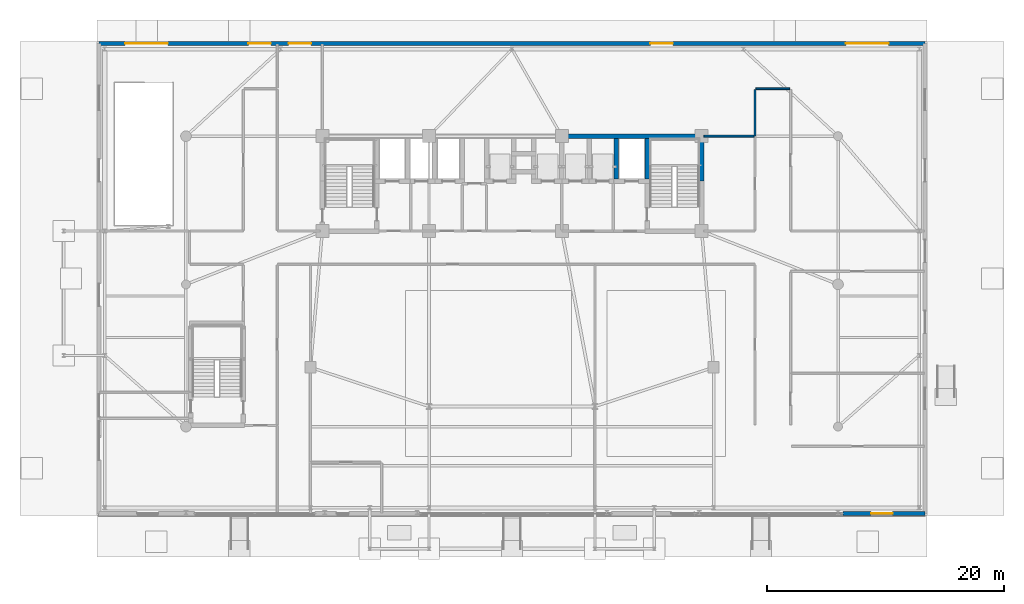
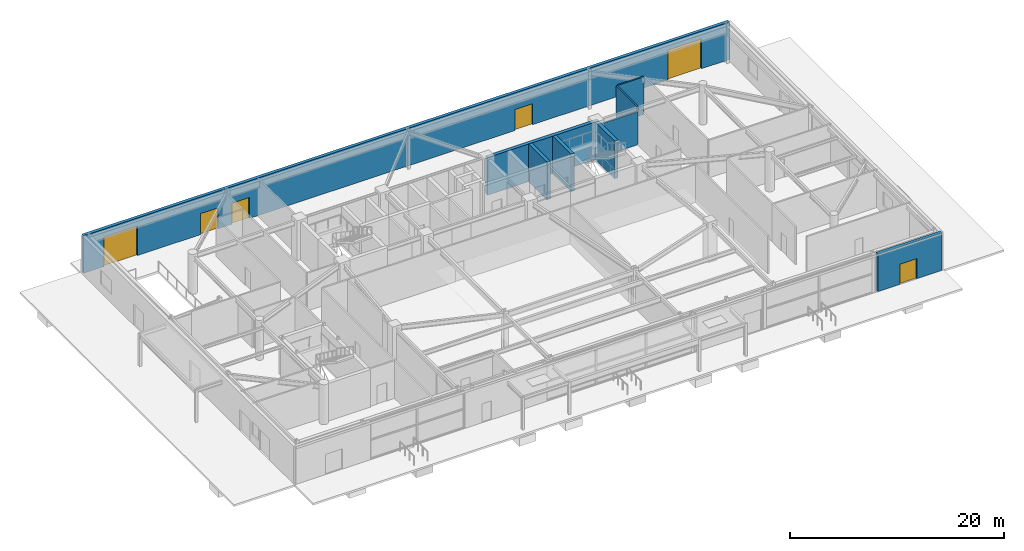
# One storey, part 22 of 29: 9 walls, 6 doors, 6 openings.
"""IFC4 building model written with IfcOpenShell, lengths in metres."""

from ifc_helpers import new_model, si_unit, direction, frame, frame_2d, origin, place, context, subcontext, project, spatial, rectangle, extrude, source, transform, mapped, material, layer, layer_set, type_object, element, fill, save


model = new_model("IFC4")

# Units and contexts
model_context = context("Model", 3, precision=1e-05, world=origin(), true_north=direction((0.0, 1.0)))
body_context = subcontext(model_context, "Body", "Model", "MODEL_VIEW")
ifc_project = project(units=[si_unit("LENGTHUNIT", "METRE"), si_unit("AREAUNIT", "SQUARE_METRE"), si_unit("VOLUMEUNIT", "CUBIC_METRE"), si_unit("PLANEANGLEUNIT", "RADIAN"), si_unit("MASSUNIT", "GRAM", prefix="KILO")], contexts=[model_context])

# Site, building, storey
site_placement = place(None, origin())
site = spatial("IfcSite", under=ifc_project, at=site_placement, CompositionType="ELEMENT")
building_placement = place(site_placement, origin())
building = spatial("IfcBuilding", under=site, at=building_placement, Name="Taldren Reach Tower", CompositionType="ELEMENT")
storey_placement = place(building_placement, origin())
storey = spatial("IfcBuildingStorey", under=building, at=storey_placement, Name="L00", CompositionType="ELEMENT", Elevation=0.0)

# Wall, opening, door
ifc_material_1 = material(Name="Pale Champagne Anodised Aluminium Cladding", Category="aluminium")
ifc_layer_1 = layer(ifc_material_1, 0.04, Name="Pale Champagne Anodised Aluminium Cladding", Category="aluminium")
ifc_material_2 = material(Name="Mineral Wool Thermal Insulation", Category="insulation")
ifc_layer_2 = layer(ifc_material_2, 0.08, Name="Mineral Wool Thermal Insulation", Category="insulation")
ifc_material_3 = material(Name="Concrete S50 (50 MPa)", Category="concrete")
ifc_layer_3 = layer(ifc_material_3, 0.22, Name="Concrete S50 (50 MPa)", Category="concrete")
ifc_layer_set_1 = layer_set([ifc_layer_1, ifc_layer_2, ifc_layer_3], Name="Pale Champagne Aluminium Cladding and Precast Concrete 50 MPa (S50)")
wall_type_1 = type_object("IfcWallType", Name="EW-POD-340", PredefinedType="SOLIDWALL", material=ifc_layer_set_1)
shared_shape_1 = source(origin(), body_context, "Body", "SweptSolid", [
    extrude(rectangle(XDim=6.93017578125, YDim=0.340087890625, at=frame_2d((3.465087890625, 0.0))), origin(), (0.0, 0.0, 1.0), 4.2900390625),
])
wall_1_placement = place(storey_placement, frame((62.89990234375, 0.169921875, 0.0), z_axis=(0.0, 0.0, 1.0), x_axis=(1.0, 0.0, 0.0)))
wall_1 = element("IfcWall", 1, at=wall_1_placement, inside=storey, type_object=wall_type_1, Name="Podium riverfront wall L00-S4", PredefinedType="SOLIDWALL", context=body_context, shape_type="MappedRepresentation", body=[
    mapped(shared_shape_1, transform((0.0, 0.0, 0.0), scale=1.0)),
])
shared_shape_2 = source(origin(), body_context, "Body", "SweptSolid", [
    extrude(rectangle(XDim=1.800048828125, YDim=2.300048828125, at=frame_2d((0.89990234375, 1.14990234375))), frame((0.0, 0.18017578125, 0.0), z_axis=(0.0, -1.0, 0.0), x_axis=(1.0, 0.0, 0.0)), (0.0, 0.0, 1.0), 0.360107421875),
])
opening_1_placement = place(wall_1_placement, frame((2.39990234375, 0.0, 0.0)))
opening_1 = element("IfcOpeningElement", 2, at=opening_1_placement, cuts=wall_1, Name="Opening ED-180", PredefinedType="OPENING", context=body_context, shape_type="MappedRepresentation", body=[
    mapped(shared_shape_2, transform((0.0, 0.0, 0.0), scale=1.0)),
])
ifc_material_4 = material(Name="Waterfront Promenade Double Exit Door")
door_type_1 = type_object("IfcDoorType", Name="ED-EXIT-1800", OperationType="DOUBLE_DOOR_SINGLE_SWING", PredefinedType="DOOR", material=ifc_material_4)
shared_shape_3 = source(origin(), body_context, "Body", "SweptSolid", [
    extrude(rectangle(XDim=1.800048828125, YDim=2.300048828125, at=frame_2d((0.89990234375, 1.14990234375))), frame((0.0, 0.02490234375, 0.0), z_axis=(0.0, -1.0, 0.0), x_axis=(1.0, 0.0, 0.0)), (0.0, 0.0, 1.0), 0.050048828125),
])
door_1_placement = place(opening_1_placement, frame((1.800048828125, 0.0, 0.0), z_axis=(0.0, 0.0, 1.0), x_axis=(-1.0, 0.0, 0.0)))
door_1 = element("IfcDoor", 3, at=door_1_placement, inside=storey, type_object=door_type_1, Name="Ground exit door ED-L00-S4", OperationType="DOUBLE_DOOR_SINGLE_SWING", OverallHeight=2.300048828125, OverallWidth=1.800048828125, PredefinedType="DOOR", context=body_context, shape_type="MappedRepresentation", body=[
    mapped(shared_shape_3, transform((0.0, 0.0, 0.0), scale=1.0)),
])
fill(opening_1, door_1)

# Wall, openings, doors
shared_shape_4 = source(origin(), body_context, "Body", "SweptSolid", [
    extrude(rectangle(XDim=69.66015625, YDim=0.340087890625, at=frame_2d((34.830078125, 0.0))), origin(), (0.0, 0.0, 1.0), 4.2900390625),
])
wall_2_placement = place(storey_placement, frame((0.169921875, 39.830078125, 0.0), z_axis=(0.0, 0.0, 1.0), x_axis=(1.0, 0.0, 0.0)))
wall_2 = element("IfcWall", 4, at=wall_2_placement, inside=storey, type_object=wall_type_1, Name="Podium north service and arrival wall L00", PredefinedType="SOLIDWALL", context=body_context, shape_type="MappedRepresentation", body=[
    mapped(shared_shape_4, transform((0.0, 0.0, 0.0), scale=1.0)),
])
shared_shape_5 = source(origin(), body_context, "Body", "SweptSolid", [
    extrude(rectangle(XDim=3.60009765625, YDim=3.39990234375, at=frame_2d((1.800048828125, 1.699951171875))), frame((0.0, 0.18017578125, 0.0), z_axis=(0.0, -1.0, 0.0), x_axis=(1.0, 0.0, 0.0)), (0.0, 0.0, 1.0), 0.360107421875),
])
opening_2_placement = place(wall_2_placement, frame((2.199951171875, 0.0, 0.0)))
opening_2 = element("IfcOpeningElement", 5, at=opening_2_placement, cuts=wall_2, Name="Opening RS-360", PredefinedType="OPENING", context=body_context, shape_type="MappedRepresentation", body=[
    mapped(shared_shape_5, transform((0.0, 0.0, 0.0), scale=1.0)),
])
shared_shape_6 = source(origin(), body_context, "Body", "SweptSolid", [
    extrude(rectangle(XDim=1.89990234375, YDim=2.39990234375, at=frame_2d((0.949951171875, 1.199951171875))), frame((0.0, 0.18017578125, 0.0), z_axis=(0.0, -1.0, 0.0), x_axis=(1.0, 0.0, 0.0)), (0.0, 0.0, 1.0), 0.360107421875),
])
opening_3_placement = place(wall_2_placement, frame((12.60009765625, 0.0, 0.0)))
opening_3 = element("IfcOpeningElement", 6, at=opening_3_placement, cuts=wall_2, Name="Opening ED-190", PredefinedType="OPENING", context=body_context, shape_type="MappedRepresentation", body=[
    mapped(shared_shape_6, transform((0.0, 0.0, 0.0), scale=1.0)),
])
opening_4_placement = place(wall_2_placement, frame((15.97998046875, 0.0, 0.0)))
opening_4 = element("IfcOpeningElement", 7, at=opening_4_placement, cuts=wall_2, Name="Opening ED-190", PredefinedType="OPENING", context=body_context, shape_type="MappedRepresentation", body=[
    mapped(shared_shape_6, transform((0.0, 0.0, 0.0), scale=1.0)),
])
opening_5_placement = place(wall_2_placement, frame((46.5, 0.0, 0.0)))
opening_5 = element("IfcOpeningElement", 8, at=opening_5_placement, cuts=wall_2, Name="Opening ED-190", PredefinedType="OPENING", context=body_context, shape_type="MappedRepresentation", body=[
    mapped(shared_shape_6, transform((0.0, 0.0, 0.0), scale=1.0)),
])
opening_6_placement = place(wall_2_placement, frame((63.0, 0.0, 0.0)))
opening_6 = element("IfcOpeningElement", 9, at=opening_6_placement, cuts=wall_2, Name="Opening RS-360", PredefinedType="OPENING", context=body_context, shape_type="MappedRepresentation", body=[
    mapped(shared_shape_5, transform((0.0, 0.0, 0.0), scale=1.0)),
])
ifc_material_5 = material(Name="Glazed Aluminium Double Exit Door", Category="aluminium")
door_type_2 = type_object("IfcDoorType", Name="ED-EXIT-1900", OperationType="DOUBLE_DOOR_SINGLE_SWING", PredefinedType="DOOR", material=ifc_material_5)
shared_shape_7 = source(origin(), body_context, "Body", "SweptSolid", [
    extrude(rectangle(XDim=1.89990234375, YDim=2.39990234375, at=frame_2d((0.949951171875, 1.199951171875))), frame((0.0, 0.02490234375, 0.0), z_axis=(0.0, -1.0, 0.0), x_axis=(1.0, 0.0, 0.0)), (0.0, 0.0, 1.0), 0.050048828125),
])
door_2_placement = place(opening_3_placement, origin())
door_2 = element("IfcDoor", 10, at=door_2_placement, inside=storey, type_object=door_type_2, Name="North arrival door ED-L00-N1", OperationType="DOUBLE_DOOR_SINGLE_SWING", OverallHeight=2.39990234375, OverallWidth=1.89990234375, PredefinedType="DOOR", context=body_context, shape_type="MappedRepresentation", body=[
    mapped(shared_shape_7, transform((0.0, 0.0, 0.0), scale=1.0)),
])
fill(opening_3, door_2)
door_3_placement = place(opening_4_placement, origin())
door_3 = element("IfcDoor", 11, at=door_3_placement, inside=storey, type_object=door_type_2, Name="North arrival door ED-L00-N3", OperationType="DOUBLE_DOOR_SINGLE_SWING", OverallHeight=2.39990234375, OverallWidth=1.89990234375, PredefinedType="DOOR", context=body_context, shape_type="MappedRepresentation", body=[
    mapped(shared_shape_7, transform((0.0, 0.0, 0.0), scale=1.0)),
])
fill(opening_4, door_3)
door_4_placement = place(opening_5_placement, origin())
door_4 = element("IfcDoor", 12, at=door_4_placement, inside=storey, type_object=door_type_2, Name="North arrival door ED-L00-N2", OperationType="DOUBLE_DOOR_SINGLE_SWING", OverallHeight=2.39990234375, OverallWidth=1.89990234375, PredefinedType="DOOR", context=body_context, shape_type="MappedRepresentation", body=[
    mapped(shared_shape_7, transform((0.0, 0.0, 0.0), scale=1.0)),
])
fill(opening_5, door_4)
ifc_material_6 = material(Name="Ambulance and Loading Bay Roller Shutter")
door_type_3 = type_object("IfcDoorType", Name="ED-SHUT-3600", OperationType="ROLLINGUP", PredefinedType="DOOR", material=ifc_material_6)
shared_shape_8 = source(origin(), body_context, "Body", "SweptSolid", [
    extrude(rectangle(XDim=3.60009765625, YDim=3.39990234375, at=frame_2d((1.800048828125, 1.699951171875))), frame((0.0, 0.02490234375, 0.0), z_axis=(0.0, -1.0, 0.0), x_axis=(1.0, 0.0, 0.0)), (0.0, 0.0, 1.0), 0.050048828125),
])
door_5_placement = place(opening_2_placement, origin())
door_5 = element("IfcDoor", 13, at=door_5_placement, inside=storey, type_object=door_type_3, Name="North arrival door RS-L00-VEH", OperationType="ROLLINGUP", OverallHeight=3.39990234375, OverallWidth=3.60009765625, PredefinedType="DOOR", context=body_context, shape_type="MappedRepresentation", body=[
    mapped(shared_shape_8, transform((0.0, 0.0, 0.0), scale=1.0)),
])
fill(opening_2, door_5)
door_6_placement = place(opening_6_placement, origin())
door_6 = element("IfcDoor", 14, at=door_6_placement, inside=storey, type_object=door_type_3, Name="North arrival door RS-L00-AMB", OperationType="ROLLINGUP", OverallHeight=3.39990234375, OverallWidth=3.60009765625, PredefinedType="DOOR", context=body_context, shape_type="MappedRepresentation", body=[
    mapped(shared_shape_8, transform((0.0, 0.0, 0.0), scale=1.0)),
])
fill(opening_6, door_6)

# Walls
ifc_material_7 = material(Name="Concrete S80 (80 MPa)", Category="concrete")
ifc_layer_4 = layer(ifc_material_7, 0.3798828125)
ifc_layer_set_2 = layer_set([ifc_layer_4], Name="Concrete S80 (80 MPa)")
wall_type_2 = type_object("IfcWallType", Name="IW-CORE-380", PredefinedType="SHEAR", material=ifc_layer_set_2)
shared_shape_9 = source(origin(), body_context, "Body", "SweptSolid", [
    extrude(rectangle(XDim=11.989990234375, YDim=0.3798828125, at=frame_2d((5.9951171875, 0.0))), origin(), (0.0, 0.0, 1.0), 4.2900390625),
])
wall_3_placement = place(storey_placement, frame((39.199951171875, 32.0, 0.0), z_axis=(0.0, 0.0, 1.0), x_axis=(1.0, 0.0, 0.0)))
element("IfcWall", 15, at=wall_3_placement, inside=storey, type_object=wall_type_2, Name="Rear Core Shear Wall W-CORE-L00-NORTH3", PredefinedType="SHEAR", context=body_context, shape_type="MappedRepresentation", body=[
    mapped(shared_shape_9, transform((0.0, 0.0, 0.0), scale=1.0)),
])
shared_shape_10 = source(origin(), body_context, "Body", "SweptSolid", [
    extrude(rectangle(XDim=3.610107421875, YDim=0.3798828125, at=frame_2d((1.80517578125, 0.0))), origin(), (0.0, 0.0, 1.0), 4.2900390625),
])
wall_4_placement = place(storey_placement, frame((51.0, 28.199951171875, 0.0), z_axis=(0.0, 0.0, 1.0), x_axis=(0.0, 1.0, 0.0)))
element("IfcWall", 16, at=wall_4_placement, inside=storey, type_object=wall_type_2, Name="Rear Core Shear Wall W-CORE-L00-EAST2", PredefinedType="SHEAR", context=body_context, shape_type="MappedRepresentation", body=[
    mapped(shared_shape_10, transform((0.0, 0.0, 0.0), scale=1.0)),
])
shared_shape_11 = source(origin(), body_context, "Body", "SweptSolid", [
    extrude(rectangle(XDim=3.420166015625, YDim=0.3798828125, at=frame_2d((1.7099609375, 0.0))), origin(), (0.0, 0.0, 1.0), 4.2900390625),
])
for number, where, z_axis, x_axis, name in (
    (17, (46.39990234375, 31.81005859375, 0.0), (0.0, 0.0, 1.0), (0.0, -1.0, 0.0), "Rear Core Shear Wall W-INT-L00-008"),
    (18, (43.800048828125, 31.81005859375, 0.0), (0.0, 0.0, 1.0), (0.0, -1.0, 0.0), "Rear Core Shear Wall W-INT-L00-012"),
):
    element("IfcWall", number, at=place(storey_placement, frame(where, z_axis=z_axis, x_axis=x_axis)), inside=storey, type_object=wall_type_2, Name=name, PredefinedType="SHEAR", context=body_context, shape_type="MappedRepresentation", body=[
        mapped(shared_shape_11, transform((0.0, 0.0, 0.0), scale=1.0)),
    ])
ifc_material_8 = material(Name="Fire-Rated Acoustic Plasterboard Stud Wall", Category="gypsum")
ifc_layer_5 = layer(ifc_material_8, 0.159912109375)
ifc_layer_set_3 = layer_set([ifc_layer_5], Name="Fire-Rated Acoustic Plasterboard Stud Wall")
wall_type_3 = type_object("IfcWallType", Name="IW-FIRE-160", PredefinedType="PARTITIONING", material=ifc_layer_set_3)
shared_shape_12 = source(origin(), body_context, "Body", "SweptSolid", [
    extrude(rectangle(XDim=3.899658203125, YDim=0.159912109375, at=frame_2d((1.94970703125, 0.0))), origin(), (0.0, 0.0, 1.0), 4.2900390625),
])
wall_5_placement = place(storey_placement, frame((55.5, 32.020263671875, 0.0), z_axis=(0.0, 0.0, 1.0), x_axis=(0.0, 1.0, 0.0)))
element("IfcWall", 19, at=wall_5_placement, inside=storey, type_object=wall_type_3, Name="Interior Partition Wall W-INT-L00-069", PredefinedType="PARTITIONING", context=body_context, shape_type="MappedRepresentation", body=[
    mapped(shared_shape_12, transform((0.0, 0.0, 0.0), scale=1.0)),
])
shared_shape_13 = source(origin(), body_context, "Body", "SweptSolid", [
    extrude(rectangle(XDim=2.83984375, YDim=0.159912109375, at=frame_2d((1.419921875, 0.0))), origin(), (0.0, 0.0, 1.0), 4.2900390625),
])
wall_6_placement = place(storey_placement, frame((55.580078125, 36.0, 0.0), z_axis=(0.0, 0.0, 1.0), x_axis=(1.0, 0.0, 0.0)))
element("IfcWall", 20, at=wall_6_placement, inside=storey, type_object=wall_type_3, Name="Interior Partition Wall W-INT-L00-070", PredefinedType="PARTITIONING", context=body_context, shape_type="MappedRepresentation", body=[
    mapped(shared_shape_13, transform((0.0, 0.0, 0.0), scale=1.0)),
])
shared_shape_14 = source(origin(), body_context, "Body", "SweptSolid", [
    extrude(rectangle(XDim=4.22998046875, YDim=0.159912109375, at=frame_2d((2.114990234375, 0.0))), origin(), (0.0, 0.0, 1.0), 3.757080078125),
])
wall_7_placement = place(storey_placement, frame((51.18994140625, 32.0, 0.0), z_axis=(0.0, 0.0, 1.0), x_axis=(1.0, 0.0, 0.0)))
element("IfcWall", 21, at=wall_7_placement, inside=storey, type_object=wall_type_3, Name="Interior Partition Wall W-INT-L00-084", PredefinedType="PARTITIONING", context=body_context, shape_type="MappedRepresentation", body=[
    mapped(shared_shape_14, transform((0.0, 0.0, 0.0), scale=1.0)),
])

save(model, "model.ifc")
